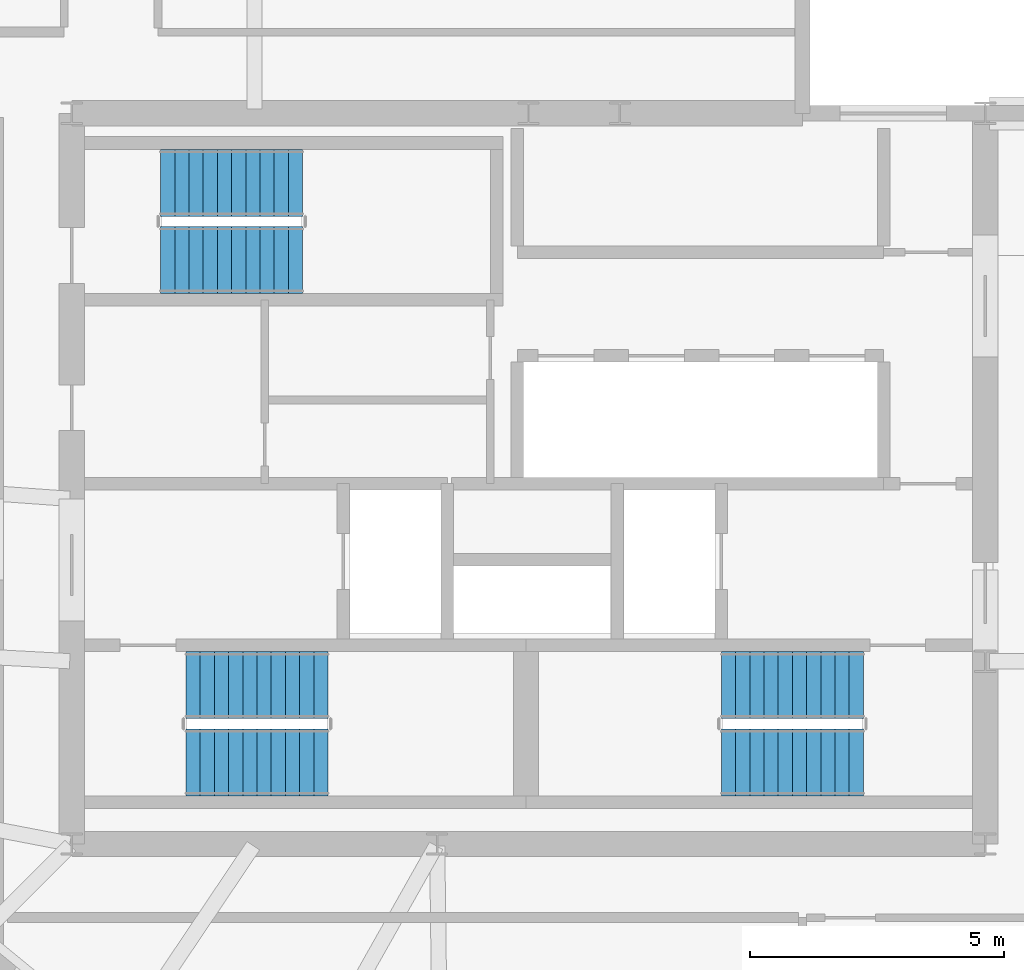
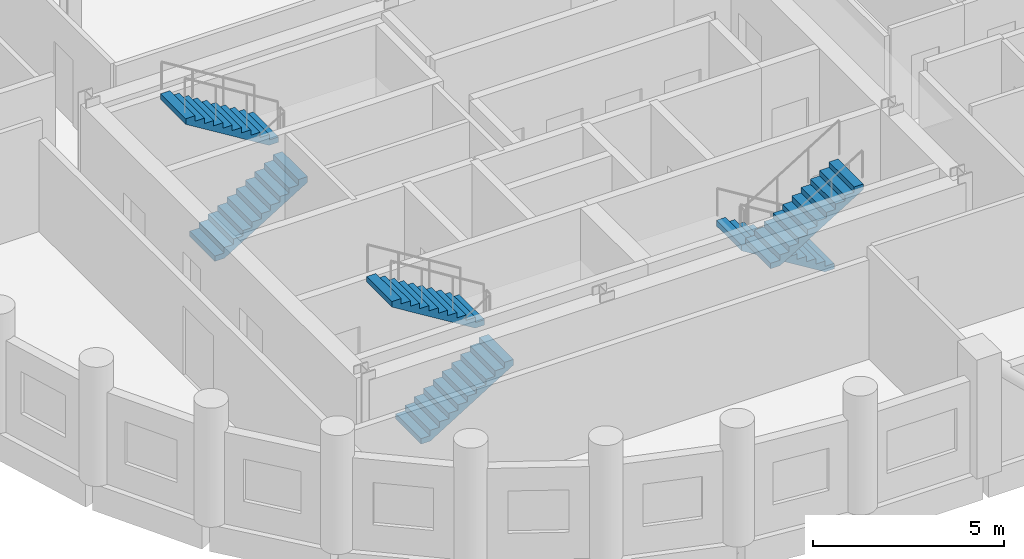
# One storey, part 7 of 8: 6 stair flights, 3 elements without a shape of their own.
"""IFC4 building model written with IfcOpenShell, lengths in metres."""

from ifc_helpers import new_model, si_unit, direction, frame, origin, place, context, subcontext, project, spatial, polyline, outline, extrude, material, type_object, element, aggregate, save


model = new_model("IFC4")

# Units and contexts
model_context = context("Model", 3, precision=1e-05, world=origin(), true_north=direction((0.0, 1.0)))
body_context = subcontext(model_context, "Body", "Model", "MODEL_VIEW")
ifc_project = project(units=[si_unit("LENGTHUNIT", "METRE"), si_unit("AREAUNIT", "SQUARE_METRE"), si_unit("VOLUMEUNIT", "CUBIC_METRE"), si_unit("PLANEANGLEUNIT", "RADIAN"), si_unit("MASSUNIT", "GRAM", prefix="KILO")], contexts=[model_context])

# Site, building, storey
site_placement = place(None, origin())
site = spatial("IfcSite", under=ifc_project, at=site_placement, CompositionType="ELEMENT")
building_placement = place(site_placement, origin())
building = spatial("IfcBuilding", under=site, at=building_placement, Name="Solnavia Interchange Tower", CompositionType="ELEMENT")
storey_placement = place(building_placement, frame((0.0, 0.0, 161.800048828125)))
storey = spatial("IfcBuildingStorey", under=building, at=storey_placement, Name="L40", CompositionType="ELEMENT", Elevation=161.800048828125)

# Stair, stair flights
ifc_material = material(Name="Concrete C40/50", Category="concrete")
stair_type = type_object("IfcStairType", Name="Stair-Dogleg-RC", PredefinedType="HALF_TURN_STAIR", material=ifc_material)
stair_1_placement = place(storey_placement, origin())
stair_1 = element("IfcStair", 1, at=stair_1_placement, inside=storey, type_object=stair_type, Name="L40 Core exit stair 1", PredefinedType="HALF_TURN_STAIR")
stair_flight_type = type_object("IfcStairFlightType", Name="StairFlight-RC-150", PredefinedType="STRAIGHT", material=ifc_material)
stair_flight_1_placement = place(storey_placement, frame((16.64990234375, 12.409912109375, 0.0), z_axis=(0.0, 0.0, 1.0), x_axis=(1.0, 0.0, 0.0)))
stair_flight_1 = element("IfcStairFlight", 2, at=stair_flight_1_placement, type_object=stair_flight_type, Name="ST-1 flight 1", NumberOfRisers=11, NumberOfTreads=10, PredefinedType="STRAIGHT", RiserHeight=0.172727273, TreadLength=0.28, context=body_context, shape_type="SweptSolid", body=[
    extrude(outline(polyline([(0.0, 0.0), (0.0, 0.172607421875), (0.280029296875, 0.172607421875), (0.280029296875, 0.345458984375), (0.56005859375, 0.345458984375), (0.56005859375, 0.51806640625), (0.840087890625, 0.51806640625), (0.840087890625, 0.69091796875), (1.1201171875, 0.69091796875), (1.1201171875, 0.863525390625), (1.39990234375, 0.863525390625), (1.39990234375, 1.036376953125), (1.679931640625, 1.036376953125), (1.679931640625, 1.208984375), (1.9599609375, 1.208984375), (1.9599609375, 1.3818359375), (2.239990234375, 1.3818359375), (2.239990234375, 1.554443359375), (2.52001953125, 1.554443359375), (2.52001953125, 1.727294921875), (2.800048828125, 1.727294921875), (2.800048828125, 1.89990234375), (2.800048828125, 1.551025390625), (0.285400390625, 0.0), (0.0, 0.0)])), frame((0.0, 0.66015625, 0.0), z_axis=(0.0, -1.0, 0.0), x_axis=(1.0, 0.0, 0.0)), (0.0, 0.0, 1.0), 1.320068359375),
])
stair_flight_2_placement = place(storey_placement, frame((19.449951171875, 13.929931640625, 1.89990234375), z_axis=(0.0, 0.0, 1.0), x_axis=(-1.0, 0.0, 0.0)))
stair_flight_2 = element("IfcStairFlight", 3, at=stair_flight_2_placement, type_object=stair_flight_type, Name="ST-1 flight 2", NumberOfRisers=11, NumberOfTreads=10, PredefinedType="STRAIGHT", RiserHeight=0.172727273, TreadLength=0.28, context=body_context, shape_type="SweptSolid", body=[
    extrude(outline(polyline([(0.0, 0.0), (0.0, 0.172607421875), (0.280029296875, 0.172607421875), (0.280029296875, 0.345458984375), (0.56005859375, 0.345458984375), (0.56005859375, 0.51806640625), (0.840087890625, 0.51806640625), (0.840087890625, 0.69091796875), (1.1201171875, 0.69091796875), (1.1201171875, 0.863525390625), (1.39990234375, 0.863525390625), (1.39990234375, 1.036376953125), (1.679931640625, 1.036376953125), (1.679931640625, 1.208984375), (1.9599609375, 1.208984375), (1.9599609375, 1.3818359375), (2.239990234375, 1.3818359375), (2.239990234375, 1.554443359375), (2.52001953125, 1.554443359375), (2.52001953125, 1.727294921875), (2.800048828125, 1.727294921875), (2.800048828125, 1.89990234375), (2.800048828125, 1.551025390625), (0.285400390625, 0.0), (0.0, 0.0)])), frame((0.0, 0.66015625, 0.0), z_axis=(0.0, -1.0, 0.0), x_axis=(1.0, 0.0, 0.0)), (0.0, 0.0, 1.0), 1.320068359375),
])
aggregate(stair_1, [stair_flight_1, stair_flight_2])

stair_2_placement = place(storey_placement, origin())
stair_2 = element("IfcStair", 4, at=stair_2_placement, inside=storey, type_object=stair_type, Name="L40 Core exit stair 2", PredefinedType="HALF_TURN_STAIR")
stair_flight_3_placement = place(storey_placement, frame((30.0, 13.929931640625, 0.0), z_axis=(0.0, 0.0, 1.0), x_axis=(-1.0, 0.0, 0.0)))
stair_flight_3 = element("IfcStairFlight", 5, at=stair_flight_3_placement, type_object=stair_flight_type, Name="ST-2 flight 1", NumberOfRisers=11, NumberOfTreads=10, PredefinedType="STRAIGHT", RiserHeight=0.172727273, TreadLength=0.28, context=body_context, shape_type="SweptSolid", body=[
    extrude(outline(polyline([(0.0, 0.0), (0.0, 0.172607421875), (0.280029296875, 0.172607421875), (0.280029296875, 0.345458984375), (0.56005859375, 0.345458984375), (0.56005859375, 0.51806640625), (0.840087890625, 0.51806640625), (0.840087890625, 0.69091796875), (1.1201171875, 0.69091796875), (1.1201171875, 0.863525390625), (1.39990234375, 0.863525390625), (1.39990234375, 1.036376953125), (1.679931640625, 1.036376953125), (1.679931640625, 1.208984375), (1.9599609375, 1.208984375), (1.9599609375, 1.3818359375), (2.239990234375, 1.3818359375), (2.239990234375, 1.554443359375), (2.52001953125, 1.554443359375), (2.52001953125, 1.727294921875), (2.800048828125, 1.727294921875), (2.800048828125, 1.89990234375), (2.800048828125, 1.551025390625), (0.285400390625, 0.0), (0.0, 0.0)])), frame((0.0, 0.66015625, 0.0), z_axis=(0.0, -1.0, 0.0), x_axis=(1.0, 0.0, 0.0)), (0.0, 0.0, 1.0), 1.320068359375),
])
stair_flight_4_placement = place(storey_placement, frame((27.199951171875, 12.409912109375, 1.89990234375), z_axis=(0.0, 0.0, 1.0), x_axis=(1.0, 0.0, 0.0)))
stair_flight_4 = element("IfcStairFlight", 6, at=stair_flight_4_placement, type_object=stair_flight_type, Name="ST-2 flight 2", NumberOfRisers=11, NumberOfTreads=10, PredefinedType="STRAIGHT", RiserHeight=0.172727273, TreadLength=0.28, context=body_context, shape_type="SweptSolid", body=[
    extrude(outline(polyline([(0.0, 0.0), (0.0, 0.172607421875), (0.280029296875, 0.172607421875), (0.280029296875, 0.345458984375), (0.56005859375, 0.345458984375), (0.56005859375, 0.51806640625), (0.840087890625, 0.51806640625), (0.840087890625, 0.69091796875), (1.1201171875, 0.69091796875), (1.1201171875, 0.863525390625), (1.39990234375, 0.863525390625), (1.39990234375, 1.036376953125), (1.679931640625, 1.036376953125), (1.679931640625, 1.208984375), (1.9599609375, 1.208984375), (1.9599609375, 1.3818359375), (2.239990234375, 1.3818359375), (2.239990234375, 1.554443359375), (2.52001953125, 1.554443359375), (2.52001953125, 1.727294921875), (2.800048828125, 1.727294921875), (2.800048828125, 1.89990234375), (2.800048828125, 1.551025390625), (0.285400390625, 0.0), (0.0, 0.0)])), frame((0.0, 0.66015625, 0.0), z_axis=(0.0, -1.0, 0.0), x_axis=(1.0, 0.0, 0.0)), (0.0, 0.0, 1.0), 1.320068359375),
])
aggregate(stair_2, [stair_flight_3, stair_flight_4])

stair_3_placement = place(storey_placement, origin())
stair_3 = element("IfcStair", 7, at=stair_3_placement, inside=storey, type_object=stair_type, Name="L40 Core exit stair 3", PredefinedType="HALF_TURN_STAIR")
stair_flight_5_placement = place(storey_placement, frame((16.14990234375, 22.31005859375, 0.0), z_axis=(0.0, 0.0, 1.0), x_axis=(1.0, 0.0, 0.0)))
stair_flight_5 = element("IfcStairFlight", 8, at=stair_flight_5_placement, type_object=stair_flight_type, Name="ST-3 flight 1", NumberOfRisers=11, NumberOfTreads=10, PredefinedType="STRAIGHT", RiserHeight=0.172727273, TreadLength=0.28, context=body_context, shape_type="SweptSolid", body=[
    extrude(outline(polyline([(0.0, 0.0), (0.0, 0.172607421875), (0.280029296875, 0.172607421875), (0.280029296875, 0.345458984375), (0.56005859375, 0.345458984375), (0.56005859375, 0.51806640625), (0.840087890625, 0.51806640625), (0.840087890625, 0.69091796875), (1.1201171875, 0.69091796875), (1.1201171875, 0.863525390625), (1.39990234375, 0.863525390625), (1.39990234375, 1.036376953125), (1.679931640625, 1.036376953125), (1.679931640625, 1.208984375), (1.9599609375, 1.208984375), (1.9599609375, 1.3818359375), (2.239990234375, 1.3818359375), (2.239990234375, 1.554443359375), (2.52001953125, 1.554443359375), (2.52001953125, 1.727294921875), (2.800048828125, 1.727294921875), (2.800048828125, 1.89990234375), (2.800048828125, 1.551025390625), (0.285400390625, 0.0), (0.0, 0.0)])), frame((0.0, 0.66015625, 0.0), z_axis=(0.0, -1.0, 0.0), x_axis=(1.0, 0.0, 0.0)), (0.0, 0.0, 1.0), 1.320068359375),
])
stair_flight_6_placement = place(storey_placement, frame((18.949951171875, 23.830078125, 1.89990234375), z_axis=(0.0, 0.0, 1.0), x_axis=(-1.0, 0.0, 0.0)))
stair_flight_6 = element("IfcStairFlight", 9, at=stair_flight_6_placement, type_object=stair_flight_type, Name="ST-3 flight 2", NumberOfRisers=11, NumberOfTreads=10, PredefinedType="STRAIGHT", RiserHeight=0.172727273, TreadLength=0.28, context=body_context, shape_type="SweptSolid", body=[
    extrude(outline(polyline([(0.0, 0.0), (0.0, 0.172607421875), (0.280029296875, 0.172607421875), (0.280029296875, 0.345458984375), (0.56005859375, 0.345458984375), (0.56005859375, 0.51806640625), (0.840087890625, 0.51806640625), (0.840087890625, 0.69091796875), (1.1201171875, 0.69091796875), (1.1201171875, 0.863525390625), (1.39990234375, 0.863525390625), (1.39990234375, 1.036376953125), (1.679931640625, 1.036376953125), (1.679931640625, 1.208984375), (1.9599609375, 1.208984375), (1.9599609375, 1.3818359375), (2.239990234375, 1.3818359375), (2.239990234375, 1.554443359375), (2.52001953125, 1.554443359375), (2.52001953125, 1.727294921875), (2.800048828125, 1.727294921875), (2.800048828125, 1.89990234375), (2.800048828125, 1.551025390625), (0.285400390625, 0.0), (0.0, 0.0)])), frame((0.0, 0.66015625, 0.0), z_axis=(0.0, -1.0, 0.0), x_axis=(1.0, 0.0, 0.0)), (0.0, 0.0, 1.0), 1.320068359375),
])
aggregate(stair_3, [stair_flight_5, stair_flight_6])

save(model, "model.ifc")
